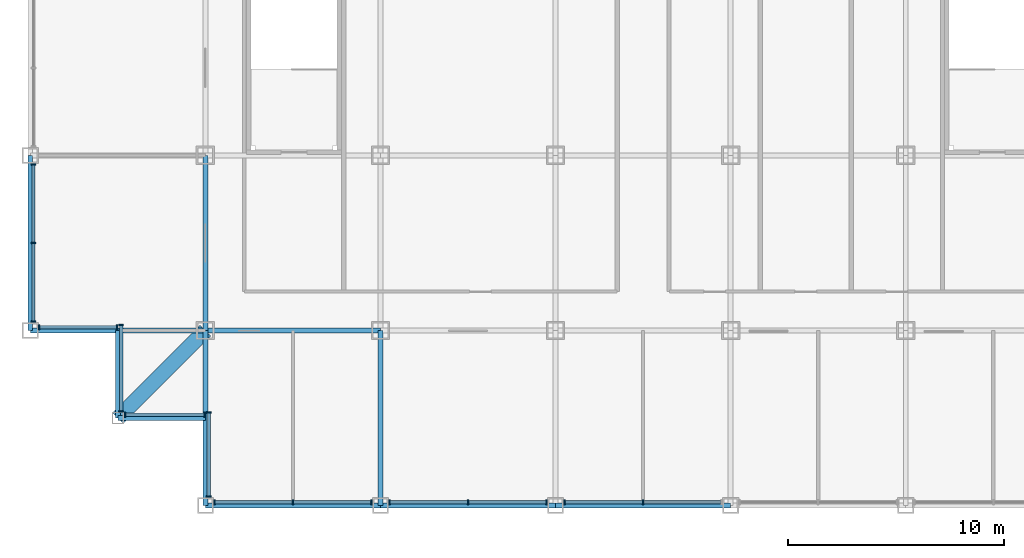
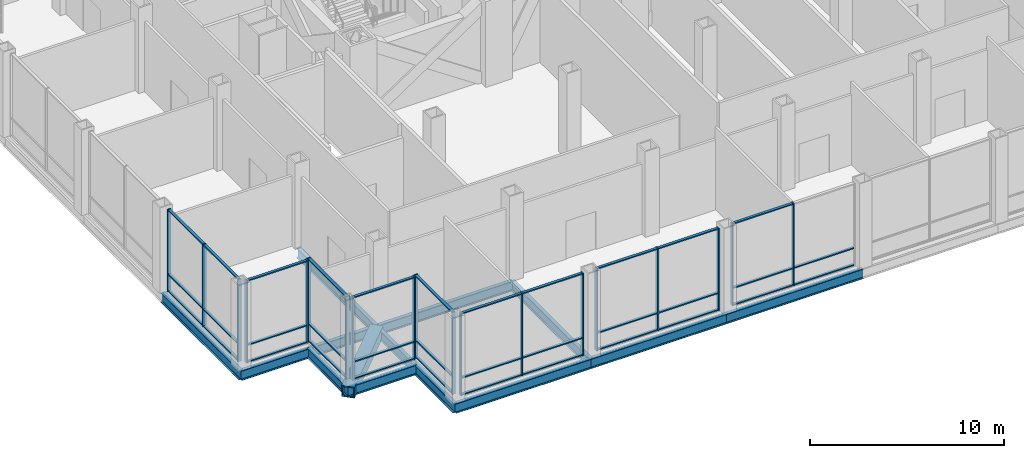
# One storey, part 2 of 18: 54 members, 12 beams, 8 elements without a shape of their own.
"""IFC4 building model written with IfcOpenShell, lengths in metres."""

from ifc_helpers import new_model, si_unit, direction, frame, origin, origin_2d, place, context, subcontext, project, spatial, rectangle, hollow_rectangle, i_section, extrude, material, material_profile, profile_set, type_object, element, aggregate, save


model = new_model("IFC4")

# Units and contexts
model_context = context("Model", 3, precision=1e-05, world=origin(), true_north=direction((0.0, 1.0)))
body_context = subcontext(model_context, "Body", "Model", "MODEL_VIEW")
ifc_project = project(units=[si_unit("LENGTHUNIT", "METRE"), si_unit("AREAUNIT", "SQUARE_METRE"), si_unit("VOLUMEUNIT", "CUBIC_METRE"), si_unit("PLANEANGLEUNIT", "RADIAN"), si_unit("MASSUNIT", "GRAM", prefix="KILO")], contexts=[model_context])

# Site, building, storey
site_placement = place(None, origin())
site = spatial("IfcSite", under=ifc_project, at=site_placement, CompositionType="ELEMENT")
building_placement = place(site_placement, origin())
building = spatial("IfcBuilding", under=site, at=building_placement, Name="Kopane Lantern Tower", CompositionType="ELEMENT")
storey_placement = place(building_placement, frame((0.0, 0.0, 22.199951171875)))
storey = spatial("IfcBuildingStorey", under=building, at=storey_placement, Name="L04", CompositionType="ELEMENT", Elevation=22.199951171875)

# Beams
ifc_material_1 = material(Name="Steel S355JR", Category="steel")
ifc_material_profile_1 = material_profile(ifc_material_1, hollow_rectangle(XDim=0.699951171875, YDim=0.699951171875, WallThickness=0.06005859375, at=origin_2d()), Name="BOX 700x700x60")
ifc_profile_set_1 = profile_set([ifc_material_profile_1], Name="Steel S355JR")
beam_type_1 = type_object("IfcBeamType", Name="CORNER TIE BEAM BOX 700x700x60", PredefinedType="BEAM", material=ifc_profile_set_1)
beam_1_placement = place(storey_placement, frame((4.050048828125, 4.050048828125, -0.599853515625), z_axis=(0.707106781187, 0.707106781187, 0.0), x_axis=(-0.707106781187, 0.707106781187, 0.0)))
element("IfcBeam", 1, at=beam_1_placement, inside=storey, type_object=beam_type_1, Name="Corner Tie Beam L04", PredefinedType="BEAM", context=body_context, shape_type="SweptSolid", body=[
    extrude(hollow_rectangle(XDim=0.699951171875, YDim=0.699951171875, WallThickness=0.06005859375, at=origin_2d()), origin(), (0.0, 0.0, 1.0), 5.7275390625),
])
ifc_material_2 = material(Name="Steel S355JR", Category="steel")
ifc_material_profile_2 = material_profile(ifc_material_2, i_section(OverallWidth=0.22900390625, OverallDepth=0.6123046875, WebThickness=0.011962890625, FlangeThickness=0.01953125, FilletRadius=0.0126953125, at=origin_2d()), Name="UB 610x229x125")
ifc_profile_set_2 = profile_set([ifc_material_profile_2], Name="Steel S355JR")
beam_type_2 = type_object("IfcBeamType", Name="EDGE BEAM UB 610x229x125", PredefinedType="BEAM", material=ifc_profile_set_2)
for number, where, z_axis, x_axis, name in (
    (2, (4.050048828125, 4.050048828125, -0.55615234375), (0.0, 1.0, 0.0), (-1.0, 0.0, 0.0), "Edge Beam L04"),
    (3, (4.050048828125, 4.050048828125, -0.55615234375), (1.0, 0.0, 0.0), (0.0, 1.0, 0.0), "Edge Beam L04"),
):
    element("IfcBeam", number, at=place(storey_placement, frame(where, z_axis=z_axis, x_axis=x_axis)), inside=storey, type_object=beam_type_2, Name=name, PredefinedType="BEAM", context=body_context, shape_type="SweptSolid", body=[
        extrude(i_section(OverallWidth=0.22900390625, OverallDepth=0.6123046875, WebThickness=0.011962890625, FlangeThickness=0.01953125, FilletRadius=0.0126953125, at=origin_2d()), origin(), (0.0, 0.0, 1.0), 4.050048828125),
    ])
ifc_material_3 = material(Name="Steel S355JR", Category="steel")
ifc_material_profile_3 = material_profile(ifc_material_3, i_section(OverallWidth=0.22900390625, OverallDepth=0.6123046875, WebThickness=0.011962890625, FlangeThickness=0.01953125, FilletRadius=0.0126953125, at=origin_2d()), Name="UB 610x229x125")
ifc_profile_set_3 = profile_set([ifc_material_profile_3], Name="Steel S355JR")
beam_type_3 = type_object("IfcBeamType", Name="GIRDER UB 610x229x125", PredefinedType="BEAM", material=ifc_profile_set_3)
beam_2_placement = place(storey_placement, frame((0.0, 8.10009765625, -0.55615234375), z_axis=(0.0, 1.0, 0.0), x_axis=(-1.0, 0.0, 0.0)))
element("IfcBeam", 4, at=beam_2_placement, inside=storey, type_object=beam_type_3, Name="Girder L04", PredefinedType="BEAM", context=body_context, shape_type="SweptSolid", body=[
    extrude(i_section(OverallWidth=0.22900390625, OverallDepth=0.6123046875, WebThickness=0.011962890625, FlangeThickness=0.01953125, FilletRadius=0.0126953125, at=origin_2d()), origin(), (0.0, 0.0, 1.0), 8.099853515625),
])
for number, where, z_axis, x_axis, name in (
    (5, (0.0, 8.10009765625, -0.55615234375), (1.0, 0.0, 0.0), (0.0, 1.0, 0.0), "Girder L04"),
    (6, (8.10009765625, 0.0, -0.55615234375), (0.0, 1.0, 0.0), (-1.0, 0.0, 0.0), "Girder L04"),
):
    element("IfcBeam", number, at=place(storey_placement, frame(where, z_axis=z_axis, x_axis=x_axis)), inside=storey, type_object=beam_type_3, Name=name, PredefinedType="BEAM", context=body_context, shape_type="SweptSolid", body=[
        extrude(i_section(OverallWidth=0.22900390625, OverallDepth=0.6123046875, WebThickness=0.011962890625, FlangeThickness=0.01953125, FilletRadius=0.0126953125, at=origin_2d()), origin(), (0.0, 0.0, 1.0), 8.10009765625),
    ])
for number, where, z_axis, x_axis, name in (
    (7, (8.10009765625, 0.0, -0.55615234375), (1.0, 0.0, 0.0), (0.0, 1.0, 0.0), "Girder L04"),
    (8, (8.10009765625, 8.10009765625, -0.55615234375), (0.0, 1.0, 0.0), (-1.0, 0.0, 0.0), "Girder L04"),
    (9, (8.10009765625, 8.10009765625, -0.55615234375), (1.0, 0.0, 0.0), (0.0, 1.0, 0.0), "Girder L04"),
):
    element("IfcBeam", number, at=place(storey_placement, frame(where, z_axis=z_axis, x_axis=x_axis)), inside=storey, type_object=beam_type_3, Name=name, PredefinedType="BEAM", context=body_context, shape_type="SweptSolid", body=[
        extrude(i_section(OverallWidth=0.22900390625, OverallDepth=0.6123046875, WebThickness=0.011962890625, FlangeThickness=0.01953125, FilletRadius=0.0126953125, at=origin_2d()), origin(), (0.0, 0.0, 1.0), 8.099853515625),
    ])
for number, where, z_axis, x_axis, name in (
    (10, (16.199951171875, 0.0, -0.55615234375), (0.0, 1.0, 0.0), (-1.0, 0.0, 0.0), "Girder L04"),
    (11, (16.199951171875, 0.0, -0.55615234375), (1.0, 0.0, 0.0), (0.0, 1.0, 0.0), "Girder L04"),
):
    element("IfcBeam", number, at=place(storey_placement, frame(where, z_axis=z_axis, x_axis=x_axis)), inside=storey, type_object=beam_type_3, Name=name, PredefinedType="BEAM", context=body_context, shape_type="SweptSolid", body=[
        extrude(i_section(OverallWidth=0.22900390625, OverallDepth=0.6123046875, WebThickness=0.011962890625, FlangeThickness=0.01953125, FilletRadius=0.0126953125, at=origin_2d()), origin(), (0.0, 0.0, 1.0), 8.10009765625),
    ])
beam_3_placement = place(storey_placement, frame((24.300048828125, 0.0, -0.55615234375), z_axis=(1.0, 0.0, 0.0), x_axis=(0.0, 1.0, 0.0)))
element("IfcBeam", 12, at=beam_3_placement, inside=storey, type_object=beam_type_3, Name="Girder L04", PredefinedType="BEAM", context=body_context, shape_type="SweptSolid", body=[
    extrude(i_section(OverallWidth=0.22900390625, OverallDepth=0.6123046875, WebThickness=0.011962890625, FlangeThickness=0.01953125, FilletRadius=0.0126953125, at=origin_2d()), origin(), (0.0, 0.0, 1.0), 8.099853515625),
])

# Curtain wall, members
ifc_material_4 = material(Name="Aluminium and clear glass", Category="aluminium")
curtain_wall_type = type_object("IfcCurtainWallType", Name="CURTAIN WALL CW3 SKY LOBBY", PredefinedType="USERDEFINED", material=ifc_material_4)
curtain_wall_1_placement = place(storey_placement, origin())
curtain_wall_1 = element("IfcCurtainWall", 13, at=curtain_wall_1_placement, inside=storey, type_object=curtain_wall_type, Name="Curtain wall CW3 S L04", ObjectType="CURTAIN WALL", PredefinedType="USERDEFINED")
ifc_material_5 = material(Name="Aluminium", Category="aluminium")
ifc_material_profile_4 = material_profile(ifc_material_5, rectangle(XDim=0.070068359375, YDim=0.22509765625, at=origin_2d()), Name="AL 70x225")
ifc_profile_set_4 = profile_set([ifc_material_profile_4], Name="Aluminium")
member_type_1 = type_object("IfcMemberType", Name="MULLION CW3-M 70x225", PredefinedType="MULLION", material=ifc_profile_set_4)
member_1_placement = place(storey_placement, frame((8.514892578125, 0.14990234375, 0.0), z_axis=(0.0, 0.0, 1.0), x_axis=(1.0, 0.0, 0.0)))
member_1 = element("IfcMember", 14, at=member_1_placement, type_object=member_type_1, Name="CW3 mullion 1", PredefinedType="MULLION", context=body_context, shape_type="SweptSolid", body=[
    extrude(rectangle(XDim=0.070068359375, YDim=0.22509765625, at=origin_2d()), origin(), (0.0, 0.0, 1.0), 5.18994140625),
])
member_2_placement = place(storey_placement, frame((12.14990234375, 0.14990234375, 0.0), z_axis=(0.0, 0.0, 1.0), x_axis=(1.0, 0.0, 0.0)))
member_2 = element("IfcMember", 15, at=member_2_placement, type_object=member_type_1, Name="CW3 mullion 2", PredefinedType="MULLION", context=body_context, shape_type="SweptSolid", body=[
    extrude(rectangle(XDim=0.070068359375, YDim=0.22509765625, at=origin_2d()), origin(), (0.0, 0.0, 1.0), 5.18994140625),
])
member_3_placement = place(storey_placement, frame((15.784912109375, 0.14990234375, 0.0), z_axis=(0.0, 0.0, 1.0), x_axis=(1.0, 0.0, 0.0)))
member_3 = element("IfcMember", 16, at=member_3_placement, type_object=member_type_1, Name="CW3 mullion 3", PredefinedType="MULLION", context=body_context, shape_type="SweptSolid", body=[
    extrude(rectangle(XDim=0.070068359375, YDim=0.22509765625, at=origin_2d()), origin(), (0.0, 0.0, 1.0), 5.18994140625),
])

curtain_wall_2_placement = place(storey_placement, origin())
curtain_wall_2 = element("IfcCurtainWall", 17, at=curtain_wall_2_placement, inside=storey, type_object=curtain_wall_type, Name="Curtain wall CW3 S L04", ObjectType="CURTAIN WALL", PredefinedType="USERDEFINED")
member_4_placement = place(storey_placement, frame((16.614990234375, 0.14990234375, 0.0), z_axis=(0.0, 0.0, 1.0), x_axis=(1.0, 0.0, 0.0)))
member_4 = element("IfcMember", 18, at=member_4_placement, type_object=member_type_1, Name="CW3 mullion 1", PredefinedType="MULLION", context=body_context, shape_type="SweptSolid", body=[
    extrude(rectangle(XDim=0.070068359375, YDim=0.22509765625, at=origin_2d()), origin(), (0.0, 0.0, 1.0), 5.18994140625),
])
member_5_placement = place(storey_placement, frame((20.25, 0.14990234375, 0.0), z_axis=(0.0, 0.0, 1.0), x_axis=(1.0, 0.0, 0.0)))
member_5 = element("IfcMember", 19, at=member_5_placement, type_object=member_type_1, Name="CW3 mullion 2", PredefinedType="MULLION", context=body_context, shape_type="SweptSolid", body=[
    extrude(rectangle(XDim=0.070068359375, YDim=0.22509765625, at=origin_2d()), origin(), (0.0, 0.0, 1.0), 5.18994140625),
])
member_6_placement = place(storey_placement, frame((23.885009765625, 0.14990234375, 0.0), z_axis=(0.0, 0.0, 1.0), x_axis=(1.0, 0.0, 0.0)))
member_6 = element("IfcMember", 20, at=member_6_placement, type_object=member_type_1, Name="CW3 mullion 3", PredefinedType="MULLION", context=body_context, shape_type="SweptSolid", body=[
    extrude(rectangle(XDim=0.070068359375, YDim=0.22509765625, at=origin_2d()), origin(), (0.0, 0.0, 1.0), 5.18994140625),
])

curtain_wall_3_placement = place(storey_placement, origin())
curtain_wall_3 = element("IfcCurtainWall", 21, at=curtain_wall_3_placement, inside=storey, type_object=curtain_wall_type, Name="Curtain wall CW3 S L04", ObjectType="CURTAIN WALL", PredefinedType="USERDEFINED")
member_7_placement = place(storey_placement, frame((24.715087890625, 0.14990234375, 0.0), z_axis=(0.0, 0.0, 1.0), x_axis=(1.0, 0.0, 0.0)))
member_7 = element("IfcMember", 22, at=member_7_placement, type_object=member_type_1, Name="CW3 mullion 1", PredefinedType="MULLION", context=body_context, shape_type="SweptSolid", body=[
    extrude(rectangle(XDim=0.070068359375, YDim=0.22509765625, at=origin_2d()), origin(), (0.0, 0.0, 1.0), 5.18994140625),
])
member_8_placement = place(storey_placement, frame((28.35009765625, 0.14990234375, 0.0), z_axis=(0.0, 0.0, 1.0), x_axis=(1.0, 0.0, 0.0)))
member_8 = element("IfcMember", 23, at=member_8_placement, type_object=member_type_1, Name="CW3 mullion 2", PredefinedType="MULLION", context=body_context, shape_type="SweptSolid", body=[
    extrude(rectangle(XDim=0.070068359375, YDim=0.22509765625, at=origin_2d()), origin(), (0.0, 0.0, 1.0), 5.18994140625),
])

curtain_wall_4_placement = place(storey_placement, origin())
curtain_wall_4 = element("IfcCurtainWall", 24, at=curtain_wall_4_placement, inside=storey, type_object=curtain_wall_type, Name="Curtain wall CW3 W L04", ObjectType="CURTAIN WALL", PredefinedType="USERDEFINED")
member_9_placement = place(storey_placement, frame((0.14990234375, 15.784912109375, 0.0), z_axis=(0.0, 0.0, 1.0), x_axis=(0.0, -1.0, 0.0)))
member_9 = element("IfcMember", 25, at=member_9_placement, type_object=member_type_1, Name="CW3 mullion 1", PredefinedType="MULLION", context=body_context, shape_type="SweptSolid", body=[
    extrude(rectangle(XDim=0.070068359375, YDim=0.22509765625, at=origin_2d()), origin(), (0.0, 0.0, 1.0), 5.18994140625),
])
member_10_placement = place(storey_placement, frame((0.14990234375, 12.14990234375, 0.0), z_axis=(0.0, 0.0, 1.0), x_axis=(0.0, -1.0, 0.0)))
member_10 = element("IfcMember", 26, at=member_10_placement, type_object=member_type_1, Name="CW3 mullion 2", PredefinedType="MULLION", context=body_context, shape_type="SweptSolid", body=[
    extrude(rectangle(XDim=0.070068359375, YDim=0.22509765625, at=origin_2d()), origin(), (0.0, 0.0, 1.0), 5.18994140625),
])
member_11_placement = place(storey_placement, frame((0.14990234375, 8.514892578125, 0.0), z_axis=(0.0, 0.0, 1.0), x_axis=(0.0, -1.0, 0.0)))
member_11 = element("IfcMember", 27, at=member_11_placement, type_object=member_type_1, Name="CW3 mullion 3", PredefinedType="MULLION", context=body_context, shape_type="SweptSolid", body=[
    extrude(rectangle(XDim=0.070068359375, YDim=0.22509765625, at=origin_2d()), origin(), (0.0, 0.0, 1.0), 5.18994140625),
])

curtain_wall_5_placement = place(storey_placement, origin())
curtain_wall_5 = element("IfcCurtainWall", 28, at=curtain_wall_5_placement, inside=storey, type_object=curtain_wall_type, Name="Curtain wall CW3 S L04", ObjectType="CURTAIN WALL", PredefinedType="USERDEFINED")
member_12_placement = place(storey_placement, frame((0.4150390625, 8.25, 0.0), z_axis=(0.0, 0.0, 1.0), x_axis=(1.0, 0.0, 0.0)))
member_12 = element("IfcMember", 29, at=member_12_placement, type_object=member_type_1, Name="CW3 mullion 1", PredefinedType="MULLION", context=body_context, shape_type="SweptSolid", body=[
    extrude(rectangle(XDim=0.070068359375, YDim=0.22509765625, at=origin_2d()), origin(), (0.0, 0.0, 1.0), 5.18994140625),
])
member_13_placement = place(storey_placement, frame((4.014892578125, 8.25, 0.0), z_axis=(0.0, 0.0, 1.0), x_axis=(1.0, 0.0, 0.0)))
member_13 = element("IfcMember", 30, at=member_13_placement, type_object=member_type_1, Name="CW3 mullion 2", PredefinedType="MULLION", context=body_context, shape_type="SweptSolid", body=[
    extrude(rectangle(XDim=0.070068359375, YDim=0.22509765625, at=origin_2d()), origin(), (0.0, 0.0, 1.0), 5.18994140625),
])

curtain_wall_6_placement = place(storey_placement, origin())
curtain_wall_6 = element("IfcCurtainWall", 31, at=curtain_wall_6_placement, inside=storey, type_object=curtain_wall_type, Name="Curtain wall CW3 W L04", ObjectType="CURTAIN WALL", PredefinedType="USERDEFINED")
member_14_placement = place(storey_placement, frame((4.199951171875, 8.364990234375, 0.0), z_axis=(0.0, 0.0, 1.0), x_axis=(0.0, -1.0, 0.0)))
member_14 = element("IfcMember", 32, at=member_14_placement, type_object=member_type_1, Name="CW3 mullion 1", PredefinedType="MULLION", context=body_context, shape_type="SweptSolid", body=[
    extrude(rectangle(XDim=0.070068359375, YDim=0.22509765625, at=origin_2d()), origin(), (0.0, 0.0, 1.0), 5.18994140625),
])
member_15_placement = place(storey_placement, frame((4.199951171875, 4.364990234375, 0.0), z_axis=(0.0, 0.0, 1.0), x_axis=(0.0, -1.0, 0.0)))
member_15 = element("IfcMember", 33, at=member_15_placement, type_object=member_type_1, Name="CW3 mullion 2", PredefinedType="MULLION", context=body_context, shape_type="SweptSolid", body=[
    extrude(rectangle(XDim=0.070068359375, YDim=0.22509765625, at=origin_2d()), origin(), (0.0, 0.0, 1.0), 5.18994140625),
])

curtain_wall_7_placement = place(storey_placement, origin())
curtain_wall_7 = element("IfcCurtainWall", 34, at=curtain_wall_7_placement, inside=storey, type_object=curtain_wall_type, Name="Curtain wall CW3 S L04", ObjectType="CURTAIN WALL", PredefinedType="USERDEFINED")
member_16_placement = place(storey_placement, frame((4.385009765625, 4.199951171875, 0.0), z_axis=(0.0, 0.0, 1.0), x_axis=(1.0, 0.0, 0.0)))
member_16 = element("IfcMember", 35, at=member_16_placement, type_object=member_type_1, Name="CW3 mullion 1", PredefinedType="MULLION", context=body_context, shape_type="SweptSolid", body=[
    extrude(rectangle(XDim=0.070068359375, YDim=0.22509765625, at=origin_2d()), origin(), (0.0, 0.0, 1.0), 5.18994140625),
])
member_17_placement = place(storey_placement, frame((8.06494140625, 4.199951171875, 0.0), z_axis=(0.0, 0.0, 1.0), x_axis=(1.0, 0.0, 0.0)))
member_17 = element("IfcMember", 36, at=member_17_placement, type_object=member_type_1, Name="CW3 mullion 2", PredefinedType="MULLION", context=body_context, shape_type="SweptSolid", body=[
    extrude(rectangle(XDim=0.070068359375, YDim=0.22509765625, at=origin_2d()), origin(), (0.0, 0.0, 1.0), 5.18994140625),
])

curtain_wall_8_placement = place(storey_placement, origin())
curtain_wall_8 = element("IfcCurtainWall", 37, at=curtain_wall_8_placement, inside=storey, type_object=curtain_wall_type, Name="Curtain wall CW3 W L04", ObjectType="CURTAIN WALL", PredefinedType="USERDEFINED")
member_18_placement = place(storey_placement, frame((8.25, 4.31494140625, 0.0), z_axis=(0.0, 0.0, 1.0), x_axis=(0.0, -1.0, 0.0)))
member_18 = element("IfcMember", 38, at=member_18_placement, type_object=member_type_1, Name="CW3 mullion 1", PredefinedType="MULLION", context=body_context, shape_type="SweptSolid", body=[
    extrude(rectangle(XDim=0.070068359375, YDim=0.22509765625, at=origin_2d()), origin(), (0.0, 0.0, 1.0), 5.18994140625),
])
member_19_placement = place(storey_placement, frame((8.25, 0.4150390625, 0.0), z_axis=(0.0, 0.0, 1.0), x_axis=(0.0, -1.0, 0.0)))
member_19 = element("IfcMember", 39, at=member_19_placement, type_object=member_type_1, Name="CW3 mullion 2", PredefinedType="MULLION", context=body_context, shape_type="SweptSolid", body=[
    extrude(rectangle(XDim=0.070068359375, YDim=0.22509765625, at=origin_2d()), origin(), (0.0, 0.0, 1.0), 5.18994140625),
])

# Member
ifc_material_6 = material(Name="Aluminium", Category="aluminium")
ifc_material_profile_5 = material_profile(ifc_material_6, rectangle(XDim=0.159912109375, YDim=0.070068359375, at=origin_2d()), Name="AL 160x70")
ifc_profile_set_5 = profile_set([ifc_material_profile_5], Name="Aluminium")
member_type_2 = type_object("IfcMemberType", Name="TRANSOM CW3-T 70x160", PredefinedType="USERDEFINED", material=ifc_profile_set_5)
member_20_placement = place(storey_placement, frame((8.550048828125, 0.14990234375, 0.03515625), z_axis=(1.0, 0.0, 0.0), x_axis=(0.0, 1.0, 0.0)))
member_20 = element("IfcMember", 40, at=member_20_placement, type_object=member_type_2, Name="CW3 transom 1.1", ObjectType="TRANSOM", PredefinedType="USERDEFINED", context=body_context, shape_type="SweptSolid", body=[
    extrude(rectangle(XDim=0.159912109375, YDim=0.070068359375, at=origin_2d()), origin(), (0.0, 0.0, 1.0), 3.56494140625),
])

member_21_placement = place(storey_placement, frame((8.550048828125, 0.14990234375, 1.10009765625), z_axis=(1.0, 0.0, 0.0), x_axis=(0.0, 1.0, 0.0)))
member_21 = element("IfcMember", 41, at=member_21_placement, type_object=member_type_2, Name="CW3 transom 1.2", ObjectType="TRANSOM", PredefinedType="USERDEFINED", context=body_context, shape_type="SweptSolid", body=[
    extrude(rectangle(XDim=0.159912109375, YDim=0.070068359375, at=origin_2d()), origin(), (0.0, 0.0, 1.0), 3.56494140625),
])

member_22_placement = place(storey_placement, frame((8.550048828125, 0.14990234375, 5.155029296875), z_axis=(1.0, 0.0, 0.0), x_axis=(0.0, 1.0, 0.0)))
member_22 = element("IfcMember", 42, at=member_22_placement, type_object=member_type_2, Name="CW3 transom 1.3", ObjectType="TRANSOM", PredefinedType="USERDEFINED", context=body_context, shape_type="SweptSolid", body=[
    extrude(rectangle(XDim=0.159912109375, YDim=0.070068359375, at=origin_2d()), origin(), (0.0, 0.0, 1.0), 3.56494140625),
])

member_23_placement = place(storey_placement, frame((12.18505859375, 0.14990234375, 0.03515625), z_axis=(1.0, 0.0, 0.0), x_axis=(0.0, 1.0, 0.0)))
member_23 = element("IfcMember", 43, at=member_23_placement, type_object=member_type_2, Name="CW3 transom 2.1", ObjectType="TRANSOM", PredefinedType="USERDEFINED", context=body_context, shape_type="SweptSolid", body=[
    extrude(rectangle(XDim=0.159912109375, YDim=0.070068359375, at=origin_2d()), origin(), (0.0, 0.0, 1.0), 3.56494140625),
])

member_24_placement = place(storey_placement, frame((12.18505859375, 0.14990234375, 1.10009765625), z_axis=(1.0, 0.0, 0.0), x_axis=(0.0, 1.0, 0.0)))
member_24 = element("IfcMember", 44, at=member_24_placement, type_object=member_type_2, Name="CW3 transom 2.2", ObjectType="TRANSOM", PredefinedType="USERDEFINED", context=body_context, shape_type="SweptSolid", body=[
    extrude(rectangle(XDim=0.159912109375, YDim=0.070068359375, at=origin_2d()), origin(), (0.0, 0.0, 1.0), 3.56494140625),
])

member_25_placement = place(storey_placement, frame((12.18505859375, 0.14990234375, 5.155029296875), z_axis=(1.0, 0.0, 0.0), x_axis=(0.0, 1.0, 0.0)))
member_25 = element("IfcMember", 45, at=member_25_placement, type_object=member_type_2, Name="CW3 transom 2.3", ObjectType="TRANSOM", PredefinedType="USERDEFINED", context=body_context, shape_type="SweptSolid", body=[
    extrude(rectangle(XDim=0.159912109375, YDim=0.070068359375, at=origin_2d()), origin(), (0.0, 0.0, 1.0), 3.56494140625),
])

aggregate(curtain_wall_1, [member_1, member_2, member_3, member_20, member_21, member_22, member_23, member_24, member_25])

member_26_placement = place(storey_placement, frame((16.64990234375, 0.14990234375, 0.03515625), z_axis=(1.0, 0.0, 0.0), x_axis=(0.0, 1.0, 0.0)))
member_26 = element("IfcMember", 46, at=member_26_placement, type_object=member_type_2, Name="CW3 transom 1.1", ObjectType="TRANSOM", PredefinedType="USERDEFINED", context=body_context, shape_type="SweptSolid", body=[
    extrude(rectangle(XDim=0.159912109375, YDim=0.070068359375, at=origin_2d()), origin(), (0.0, 0.0, 1.0), 3.565185546875),
])

member_27_placement = place(storey_placement, frame((16.64990234375, 0.14990234375, 1.10009765625), z_axis=(1.0, 0.0, 0.0), x_axis=(0.0, 1.0, 0.0)))
member_27 = element("IfcMember", 47, at=member_27_placement, type_object=member_type_2, Name="CW3 transom 1.2", ObjectType="TRANSOM", PredefinedType="USERDEFINED", context=body_context, shape_type="SweptSolid", body=[
    extrude(rectangle(XDim=0.159912109375, YDim=0.070068359375, at=origin_2d()), origin(), (0.0, 0.0, 1.0), 3.565185546875),
])

member_28_placement = place(storey_placement, frame((16.64990234375, 0.14990234375, 5.155029296875), z_axis=(1.0, 0.0, 0.0), x_axis=(0.0, 1.0, 0.0)))
member_28 = element("IfcMember", 48, at=member_28_placement, type_object=member_type_2, Name="CW3 transom 1.3", ObjectType="TRANSOM", PredefinedType="USERDEFINED", context=body_context, shape_type="SweptSolid", body=[
    extrude(rectangle(XDim=0.159912109375, YDim=0.070068359375, at=origin_2d()), origin(), (0.0, 0.0, 1.0), 3.565185546875),
])

member_29_placement = place(storey_placement, frame((20.284912109375, 0.14990234375, 0.03515625), z_axis=(1.0, 0.0, 0.0), x_axis=(0.0, 1.0, 0.0)))
member_29 = element("IfcMember", 49, at=member_29_placement, type_object=member_type_2, Name="CW3 transom 2.1", ObjectType="TRANSOM", PredefinedType="USERDEFINED", context=body_context, shape_type="SweptSolid", body=[
    extrude(rectangle(XDim=0.159912109375, YDim=0.070068359375, at=origin_2d()), origin(), (0.0, 0.0, 1.0), 3.565185546875),
])

member_30_placement = place(storey_placement, frame((20.284912109375, 0.14990234375, 1.10009765625), z_axis=(1.0, 0.0, 0.0), x_axis=(0.0, 1.0, 0.0)))
member_30 = element("IfcMember", 50, at=member_30_placement, type_object=member_type_2, Name="CW3 transom 2.2", ObjectType="TRANSOM", PredefinedType="USERDEFINED", context=body_context, shape_type="SweptSolid", body=[
    extrude(rectangle(XDim=0.159912109375, YDim=0.070068359375, at=origin_2d()), origin(), (0.0, 0.0, 1.0), 3.565185546875),
])

member_31_placement = place(storey_placement, frame((20.284912109375, 0.14990234375, 5.155029296875), z_axis=(1.0, 0.0, 0.0), x_axis=(0.0, 1.0, 0.0)))
member_31 = element("IfcMember", 51, at=member_31_placement, type_object=member_type_2, Name="CW3 transom 2.3", ObjectType="TRANSOM", PredefinedType="USERDEFINED", context=body_context, shape_type="SweptSolid", body=[
    extrude(rectangle(XDim=0.159912109375, YDim=0.070068359375, at=origin_2d()), origin(), (0.0, 0.0, 1.0), 3.565185546875),
])

aggregate(curtain_wall_2, [member_4, member_5, member_6, member_26, member_27, member_28, member_29, member_30, member_31])

member_32_placement = place(storey_placement, frame((24.75, 0.14990234375, 0.03515625), z_axis=(1.0, 0.0, 0.0), x_axis=(0.0, 1.0, 0.0)))
member_32 = element("IfcMember", 52, at=member_32_placement, type_object=member_type_2, Name="CW3 transom 1.1", ObjectType="TRANSOM", PredefinedType="USERDEFINED", context=body_context, shape_type="SweptSolid", body=[
    extrude(rectangle(XDim=0.159912109375, YDim=0.070068359375, at=origin_2d()), origin(), (0.0, 0.0, 1.0), 3.56494140625),
])

member_33_placement = place(storey_placement, frame((24.75, 0.14990234375, 1.10009765625), z_axis=(1.0, 0.0, 0.0), x_axis=(0.0, 1.0, 0.0)))
member_33 = element("IfcMember", 53, at=member_33_placement, type_object=member_type_2, Name="CW3 transom 1.2", ObjectType="TRANSOM", PredefinedType="USERDEFINED", context=body_context, shape_type="SweptSolid", body=[
    extrude(rectangle(XDim=0.159912109375, YDim=0.070068359375, at=origin_2d()), origin(), (0.0, 0.0, 1.0), 3.56494140625),
])

member_34_placement = place(storey_placement, frame((24.75, 0.14990234375, 5.155029296875), z_axis=(1.0, 0.0, 0.0), x_axis=(0.0, 1.0, 0.0)))
member_34 = element("IfcMember", 54, at=member_34_placement, type_object=member_type_2, Name="CW3 transom 1.3", ObjectType="TRANSOM", PredefinedType="USERDEFINED", context=body_context, shape_type="SweptSolid", body=[
    extrude(rectangle(XDim=0.159912109375, YDim=0.070068359375, at=origin_2d()), origin(), (0.0, 0.0, 1.0), 3.56494140625),
])

member_35_placement = place(storey_placement, frame((28.385009765625, 0.14990234375, 0.03515625), z_axis=(1.0, 0.0, 0.0), x_axis=(0.0, 1.0, 0.0)))
member_35 = element("IfcMember", 55, at=member_35_placement, type_object=member_type_2, Name="CW3 transom 2.1", ObjectType="TRANSOM", PredefinedType="USERDEFINED", context=body_context, shape_type="SweptSolid", body=[
    extrude(rectangle(XDim=0.159912109375, YDim=0.070068359375, at=origin_2d()), origin(), (0.0, 0.0, 1.0), 3.56494140625),
])

member_36_placement = place(storey_placement, frame((28.385009765625, 0.14990234375, 1.10009765625), z_axis=(1.0, 0.0, 0.0), x_axis=(0.0, 1.0, 0.0)))
member_36 = element("IfcMember", 56, at=member_36_placement, type_object=member_type_2, Name="CW3 transom 2.2", ObjectType="TRANSOM", PredefinedType="USERDEFINED", context=body_context, shape_type="SweptSolid", body=[
    extrude(rectangle(XDim=0.159912109375, YDim=0.070068359375, at=origin_2d()), origin(), (0.0, 0.0, 1.0), 3.56494140625),
])

aggregate(curtain_wall_3, [member_7, member_8, member_32, member_33, member_34, member_35, member_36])

member_37_placement = place(storey_placement, frame((0.14990234375, 15.75, 0.03515625), z_axis=(0.0, -1.0, 0.0), x_axis=(1.0, 0.0, 0.0)))
member_37 = element("IfcMember", 57, at=member_37_placement, type_object=member_type_2, Name="CW3 transom 1.1", ObjectType="TRANSOM", PredefinedType="USERDEFINED", context=body_context, shape_type="SweptSolid", body=[
    extrude(rectangle(XDim=0.159912109375, YDim=0.070068359375, at=origin_2d()), origin(), (0.0, 0.0, 1.0), 3.56494140625),
])

member_38_placement = place(storey_placement, frame((0.14990234375, 15.75, 1.10009765625), z_axis=(0.0, -1.0, 0.0), x_axis=(1.0, 0.0, 0.0)))
member_38 = element("IfcMember", 58, at=member_38_placement, type_object=member_type_2, Name="CW3 transom 1.2", ObjectType="TRANSOM", PredefinedType="USERDEFINED", context=body_context, shape_type="SweptSolid", body=[
    extrude(rectangle(XDim=0.159912109375, YDim=0.070068359375, at=origin_2d()), origin(), (0.0, 0.0, 1.0), 3.56494140625),
])

member_39_placement = place(storey_placement, frame((0.14990234375, 15.75, 5.155029296875), z_axis=(0.0, -1.0, 0.0), x_axis=(1.0, 0.0, 0.0)))
member_39 = element("IfcMember", 59, at=member_39_placement, type_object=member_type_2, Name="CW3 transom 1.3", ObjectType="TRANSOM", PredefinedType="USERDEFINED", context=body_context, shape_type="SweptSolid", body=[
    extrude(rectangle(XDim=0.159912109375, YDim=0.070068359375, at=origin_2d()), origin(), (0.0, 0.0, 1.0), 3.56494140625),
])

member_40_placement = place(storey_placement, frame((0.14990234375, 12.114990234375, 0.03515625), z_axis=(0.0, -1.0, 0.0), x_axis=(1.0, 0.0, 0.0)))
member_40 = element("IfcMember", 60, at=member_40_placement, type_object=member_type_2, Name="CW3 transom 2.1", ObjectType="TRANSOM", PredefinedType="USERDEFINED", context=body_context, shape_type="SweptSolid", body=[
    extrude(rectangle(XDim=0.159912109375, YDim=0.070068359375, at=origin_2d()), origin(), (0.0, 0.0, 1.0), 3.56494140625),
])

member_41_placement = place(storey_placement, frame((0.14990234375, 12.114990234375, 1.10009765625), z_axis=(0.0, -1.0, 0.0), x_axis=(1.0, 0.0, 0.0)))
member_41 = element("IfcMember", 61, at=member_41_placement, type_object=member_type_2, Name="CW3 transom 2.2", ObjectType="TRANSOM", PredefinedType="USERDEFINED", context=body_context, shape_type="SweptSolid", body=[
    extrude(rectangle(XDim=0.159912109375, YDim=0.070068359375, at=origin_2d()), origin(), (0.0, 0.0, 1.0), 3.56494140625),
])

member_42_placement = place(storey_placement, frame((0.14990234375, 12.114990234375, 5.155029296875), z_axis=(0.0, -1.0, 0.0), x_axis=(1.0, 0.0, 0.0)))
member_42 = element("IfcMember", 62, at=member_42_placement, type_object=member_type_2, Name="CW3 transom 2.3", ObjectType="TRANSOM", PredefinedType="USERDEFINED", context=body_context, shape_type="SweptSolid", body=[
    extrude(rectangle(XDim=0.159912109375, YDim=0.070068359375, at=origin_2d()), origin(), (0.0, 0.0, 1.0), 3.56494140625),
])

aggregate(curtain_wall_4, [member_9, member_10, member_11, member_37, member_38, member_39, member_40, member_41, member_42])

member_43_placement = place(storey_placement, frame((0.449951171875, 8.25, 0.03515625), z_axis=(1.0, 0.0, 0.0), x_axis=(0.0, 1.0, 0.0)))
member_43 = element("IfcMember", 63, at=member_43_placement, type_object=member_type_2, Name="CW3 transom 1.1", ObjectType="TRANSOM", PredefinedType="USERDEFINED", context=body_context, shape_type="SweptSolid", body=[
    extrude(rectangle(XDim=0.159912109375, YDim=0.070068359375, at=origin_2d()), origin(), (0.0, 0.0, 1.0), 3.530029296875),
])

member_44_placement = place(storey_placement, frame((0.449951171875, 8.25, 1.10009765625), z_axis=(1.0, 0.0, 0.0), x_axis=(0.0, 1.0, 0.0)))
member_44 = element("IfcMember", 64, at=member_44_placement, type_object=member_type_2, Name="CW3 transom 1.2", ObjectType="TRANSOM", PredefinedType="USERDEFINED", context=body_context, shape_type="SweptSolid", body=[
    extrude(rectangle(XDim=0.159912109375, YDim=0.070068359375, at=origin_2d()), origin(), (0.0, 0.0, 1.0), 3.530029296875),
])

member_45_placement = place(storey_placement, frame((0.449951171875, 8.25, 5.155029296875), z_axis=(1.0, 0.0, 0.0), x_axis=(0.0, 1.0, 0.0)))
member_45 = element("IfcMember", 65, at=member_45_placement, type_object=member_type_2, Name="CW3 transom 1.3", ObjectType="TRANSOM", PredefinedType="USERDEFINED", context=body_context, shape_type="SweptSolid", body=[
    extrude(rectangle(XDim=0.159912109375, YDim=0.070068359375, at=origin_2d()), origin(), (0.0, 0.0, 1.0), 3.530029296875),
])

aggregate(curtain_wall_5, [member_12, member_13, member_43, member_44, member_45])

member_46_placement = place(storey_placement, frame((4.199951171875, 8.330078125, 0.03515625), z_axis=(0.0, -1.0, 0.0), x_axis=(1.0, 0.0, 0.0)))
member_46 = element("IfcMember", 66, at=member_46_placement, type_object=member_type_2, Name="CW3 transom 1.1", ObjectType="TRANSOM", PredefinedType="USERDEFINED", context=body_context, shape_type="SweptSolid", body=[
    extrude(rectangle(XDim=0.159912109375, YDim=0.070068359375, at=origin_2d()), origin(), (0.0, 0.0, 1.0), 3.93017578125),
])

member_47_placement = place(storey_placement, frame((4.199951171875, 8.330078125, 1.10009765625), z_axis=(0.0, -1.0, 0.0), x_axis=(1.0, 0.0, 0.0)))
member_47 = element("IfcMember", 67, at=member_47_placement, type_object=member_type_2, Name="CW3 transom 1.2", ObjectType="TRANSOM", PredefinedType="USERDEFINED", context=body_context, shape_type="SweptSolid", body=[
    extrude(rectangle(XDim=0.159912109375, YDim=0.070068359375, at=origin_2d()), origin(), (0.0, 0.0, 1.0), 3.93017578125),
])

member_48_placement = place(storey_placement, frame((4.199951171875, 8.330078125, 5.155029296875), z_axis=(0.0, -1.0, 0.0), x_axis=(1.0, 0.0, 0.0)))
member_48 = element("IfcMember", 68, at=member_48_placement, type_object=member_type_2, Name="CW3 transom 1.3", ObjectType="TRANSOM", PredefinedType="USERDEFINED", context=body_context, shape_type="SweptSolid", body=[
    extrude(rectangle(XDim=0.159912109375, YDim=0.070068359375, at=origin_2d()), origin(), (0.0, 0.0, 1.0), 3.93017578125),
])

aggregate(curtain_wall_6, [member_14, member_15, member_46, member_47, member_48])

member_49_placement = place(storey_placement, frame((4.419921875, 4.199951171875, 0.03515625), z_axis=(1.0, 0.0, 0.0), x_axis=(0.0, 1.0, 0.0)))
member_49 = element("IfcMember", 69, at=member_49_placement, type_object=member_type_2, Name="CW3 transom 1.1", ObjectType="TRANSOM", PredefinedType="USERDEFINED", context=body_context, shape_type="SweptSolid", body=[
    extrude(rectangle(XDim=0.159912109375, YDim=0.070068359375, at=origin_2d()), origin(), (0.0, 0.0, 1.0), 3.610107421875),
])

member_50_placement = place(storey_placement, frame((4.419921875, 4.199951171875, 1.10009765625), z_axis=(1.0, 0.0, 0.0), x_axis=(0.0, 1.0, 0.0)))
member_50 = element("IfcMember", 70, at=member_50_placement, type_object=member_type_2, Name="CW3 transom 1.2", ObjectType="TRANSOM", PredefinedType="USERDEFINED", context=body_context, shape_type="SweptSolid", body=[
    extrude(rectangle(XDim=0.159912109375, YDim=0.070068359375, at=origin_2d()), origin(), (0.0, 0.0, 1.0), 3.610107421875),
])

member_51_placement = place(storey_placement, frame((4.419921875, 4.199951171875, 5.155029296875), z_axis=(1.0, 0.0, 0.0), x_axis=(0.0, 1.0, 0.0)))
member_51 = element("IfcMember", 71, at=member_51_placement, type_object=member_type_2, Name="CW3 transom 1.3", ObjectType="TRANSOM", PredefinedType="USERDEFINED", context=body_context, shape_type="SweptSolid", body=[
    extrude(rectangle(XDim=0.159912109375, YDim=0.070068359375, at=origin_2d()), origin(), (0.0, 0.0, 1.0), 3.610107421875),
])

aggregate(curtain_wall_7, [member_16, member_17, member_49, member_50, member_51])

member_52_placement = place(storey_placement, frame((8.25, 4.280029296875, 0.03515625), z_axis=(0.0, -1.0, 0.0), x_axis=(1.0, 0.0, 0.0)))
member_52 = element("IfcMember", 72, at=member_52_placement, type_object=member_type_2, Name="CW3 transom 1.1", ObjectType="TRANSOM", PredefinedType="USERDEFINED", context=body_context, shape_type="SweptSolid", body=[
    extrude(rectangle(XDim=0.159912109375, YDim=0.070068359375, at=origin_2d()), origin(), (0.0, 0.0, 1.0), 3.830078125),
])

member_53_placement = place(storey_placement, frame((8.25, 4.280029296875, 1.10009765625), z_axis=(0.0, -1.0, 0.0), x_axis=(1.0, 0.0, 0.0)))
member_53 = element("IfcMember", 73, at=member_53_placement, type_object=member_type_2, Name="CW3 transom 1.2", ObjectType="TRANSOM", PredefinedType="USERDEFINED", context=body_context, shape_type="SweptSolid", body=[
    extrude(rectangle(XDim=0.159912109375, YDim=0.070068359375, at=origin_2d()), origin(), (0.0, 0.0, 1.0), 3.830078125),
])

member_54_placement = place(storey_placement, frame((8.25, 4.280029296875, 5.155029296875), z_axis=(0.0, -1.0, 0.0), x_axis=(1.0, 0.0, 0.0)))
member_54 = element("IfcMember", 74, at=member_54_placement, type_object=member_type_2, Name="CW3 transom 1.3", ObjectType="TRANSOM", PredefinedType="USERDEFINED", context=body_context, shape_type="SweptSolid", body=[
    extrude(rectangle(XDim=0.159912109375, YDim=0.070068359375, at=origin_2d()), origin(), (0.0, 0.0, 1.0), 3.830078125),
])

aggregate(curtain_wall_8, [member_18, member_19, member_52, member_53, member_54])

save(model, "model.ifc")
